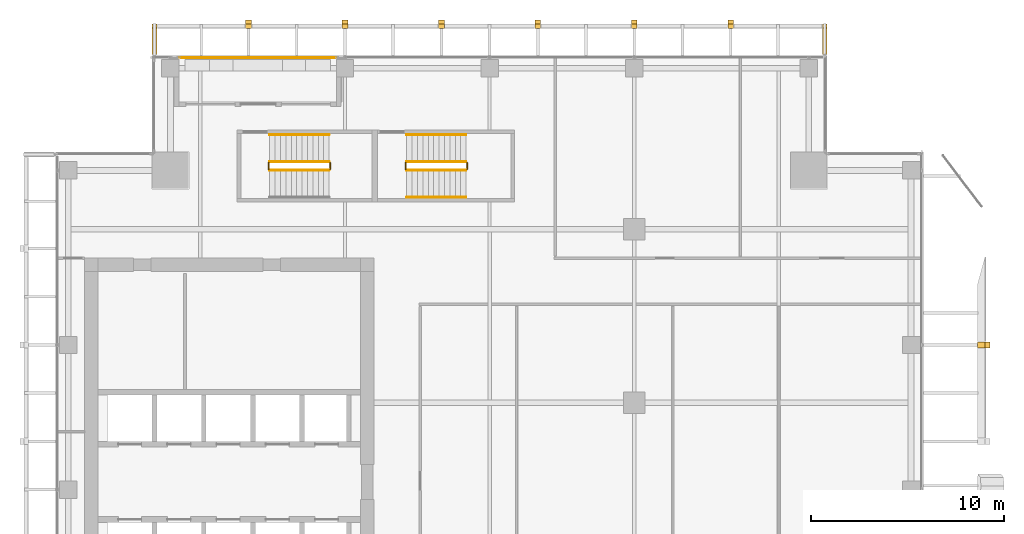
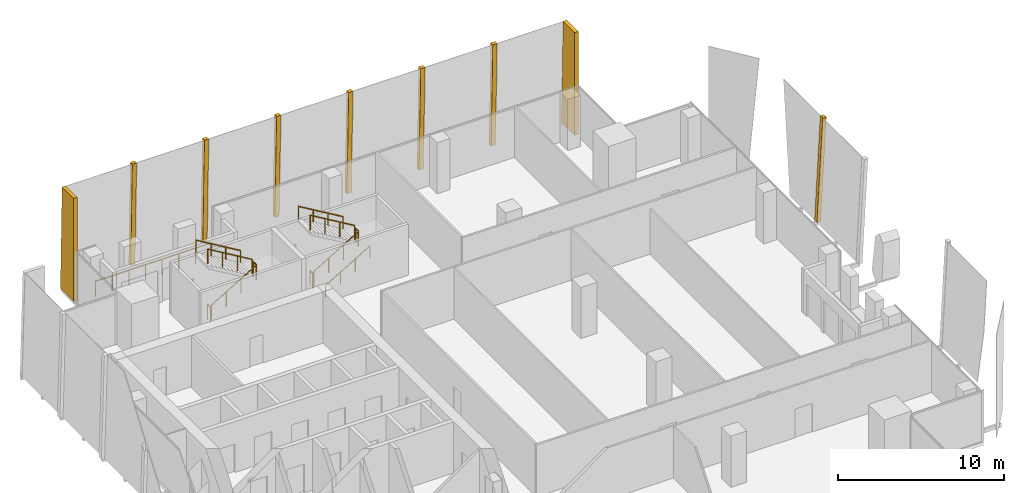
# One storey, part 34 of 35: 12 railings, 9 coverings.
"""IFC4 building model written with IfcOpenShell, lengths in metres."""

from ifc_helpers import new_model, si_unit, direction, frame, origin, origin_2d, place, context, subcontext, project, spatial, polyline, circle, outline, extrude, source, transform, mapped, material, layer, layer_set, type_object, element, save


model = new_model("IFC4")

# Units and contexts
model_context = context("Model", 3, precision=1e-05, world=origin(), true_north=direction((0.0, 1.0)))
body_context = subcontext(model_context, "Body", "Model", "MODEL_VIEW")
ifc_project = project(units=[si_unit("LENGTHUNIT", "METRE"), si_unit("AREAUNIT", "SQUARE_METRE"), si_unit("VOLUMEUNIT", "CUBIC_METRE"), si_unit("PLANEANGLEUNIT", "RADIAN"), si_unit("MASSUNIT", "GRAM", prefix="KILO")], contexts=[model_context])

# Site, building, storey
site_placement = place(None, origin())
site = spatial("IfcSite", under=ifc_project, at=site_placement, CompositionType="ELEMENT")
building_placement = place(site_placement, origin())
building = spatial("IfcBuilding", under=site, at=building_placement, Name="Khomas Fold Tower", CompositionType="ELEMENT")
storey_placement = place(building_placement, frame((0.0, 0.0, 258.199951171875)))
storey = spatial("IfcBuildingStorey", under=building, at=storey_placement, Name="L58", CompositionType="ELEMENT", Elevation=258.199951171875)

# Coverings
ifc_material_1 = material(Name="Natural stone cladding", Category="masonry")
ifc_layer = layer(ifc_material_1, 0.25)
ifc_layer_set = layer_set([ifc_layer], Name="Natural stone cladding")
covering_type = type_object("IfcCoveringType", Name="SK-Karibib marble stone mullion", PredefinedType="CLADDING", material=ifc_layer_set)
covering_1_placement = place(storey_placement, frame((52.682373046875, 34.64990234375, 7.550048828125), z_axis=(-0.998629046243, 0.0, 0.052345276765), x_axis=(-0.052345276765, 0.0, -0.998629046243)))
element("IfcCovering", 1, at=covering_1_placement, inside=storey, type_object=covering_type, Name="OUTER SKIN mullion L58 EM103-6", PredefinedType="CLADDING", context=body_context, shape_type="SweptSolid", body=[
    extrude(outline(polyline([(0.0, 0.0), (7.560413805835891, 0.0), (7.560413805835891, 0.2998046875), (0.0, 0.2998046875), (0.0, 0.0)])), origin(), (0.0, 0.0, -1.0), 0.25),
])
for number, where, z_axis, x_axis, name in (
    (2, (14.35009765625, 51.3466796875, 0.006591796875), (0.0, 0.99965715546, 0.026183421048), (1.0, 0.0, 0.0), "OUTER SKIN mullion L58 N2"),
    (3, (19.35009765625, 51.3466796875, 0.006591796875), (0.0, 0.99965715546, 0.026183421048), (1.0, 0.0, 0.0), "OUTER SKIN mullion L58 N4"),
    (4, (24.35009765625, 51.3466796875, 0.006591796875), (0.0, 0.99965715546, 0.026183421048), (1.0, 0.0, 0.0), "OUTER SKIN mullion L58 N6"),
    (5, (29.35009765625, 51.3466796875, 0.006591796875), (0.0, 0.99965715546, 0.026183421048), (1.0, 0.0, 0.0), "OUTER SKIN mullion L58 N8"),
    (6, (34.35009765625, 51.3466796875, 0.006591796875), (0.0, 0.99965715546, 0.026183421048), (1.0, 0.0, 0.0), "OUTER SKIN mullion L58 N10"),
    (7, (39.35009765625, 51.3466796875, 0.006591796875), (0.0, 0.99965715546, 0.026183421048), (1.0, 0.0, 0.0), "OUTER SKIN mullion L58 N12"),
):
    element("IfcCovering", number, at=place(storey_placement, frame(where, z_axis=z_axis, x_axis=x_axis)), inside=storey, type_object=covering_type, Name=name, PredefinedType="CLADDING", context=body_context, shape_type="SweptSolid", body=[
        extrude(outline(polyline([(0.0, 0.0), (0.2998046875, 0.0), (0.2998046875, -7.552638208898188), (0.0, -7.552638208898188), (0.0, 0.0)])), origin(), (0.0, 0.0, -1.0), 0.25),
    ])
covering_2_placement = place(storey_placement, frame((9.5, 49.550048828125, 7.550048828125), z_axis=(-1.0, 0.0, 0.0), x_axis=(0.0, 1.0, 0.0)))
element("IfcCovering", 8, at=covering_2_placement, inside=storey, type_object=covering_type, Name="OUTER SKIN return L58 N1", PredefinedType="CLADDING", context=body_context, shape_type="SweptSolid", body=[
    extrude(outline(polyline([(0.0, 0.0), (1.388916015625, 0.0), (1.586669921875, 7.550048828125), (0.0, 7.550048828125), (0.0, 0.0)])), origin(), (0.0, 0.0, -1.0), 0.25),
])
covering_3_placement = place(storey_placement, frame((44.5, 49.550048828125, 0.0), z_axis=(1.0, 0.0, 0.0), x_axis=(0.0, 1.0, 0.0)))
element("IfcCovering", 9, at=covering_3_placement, inside=storey, type_object=covering_type, Name="OUTER SKIN return L58 N2", PredefinedType="CLADDING", context=body_context, shape_type="SweptSolid", body=[
    extrude(outline(polyline([(0.0, 0.0), (1.586669921875, 0.0), (1.388916015625, 7.550048828125), (0.0, 7.550048828125), (0.0, 0.0)])), origin(), (0.0, 0.0, -1.0), 0.25),
])

# Railings
ifc_material_2 = material(Name="Powder-coated steel", Category="steel")
railing_type_1 = type_object("IfcRailingType", Name="Balcony guard", PredefinedType="GUARDRAIL", material=ifc_material_2)
shared_shape_1 = source(origin(), body_context, "Body", "SweptSolid", [
    extrude(circle(Radius=0.02490234375, at=origin_2d()), frame((0.0, 0.0, 1.125), z_axis=(1.0, 0.0, 0.0), x_axis=(0.0, 1.0, 0.0)), (0.0, 0.0, 1.0), 8.090087890625),
    extrude(circle(Radius=0.02001953125, at=origin_2d()), origin(), (0.0, 0.0, 1.0), 1.099853515625),
    extrude(circle(Radius=0.02001953125, at=origin_2d()), frame((1.15576171875, 0.0, 0.0)), (0.0, 0.0, 1.0), 1.099853515625),
    extrude(circle(Radius=0.02001953125, at=origin_2d()), frame((2.3115234375, 0.0, 0.0)), (0.0, 0.0, 1.0), 1.099853515625),
    extrude(circle(Radius=0.02001953125, at=origin_2d()), frame((3.46728515625, 0.0, 0.0)), (0.0, 0.0, 1.0), 1.099853515625),
    extrude(circle(Radius=0.02001953125, at=origin_2d()), frame((4.622802734375, 0.0, 0.0)), (0.0, 0.0, 1.0), 1.099853515625),
    extrude(circle(Radius=0.02001953125, at=origin_2d()), frame((5.778564453125, 0.0, 0.0)), (0.0, 0.0, 1.0), 1.099853515625),
    extrude(circle(Radius=0.02001953125, at=origin_2d()), frame((6.934326171875, 0.0, 0.0)), (0.0, 0.0, 1.0), 1.099853515625),
    extrude(circle(Radius=0.02001953125, at=origin_2d()), frame((8.090087890625, 0.0, 0.0)), (0.0, 0.0, 1.0), 1.099853515625),
])
railing_1_placement = place(storey_placement, frame((10.929931640625, 49.39990234375, -0.044921875)))
element("IfcRailing", 10, at=railing_1_placement, inside=storey, type_object=railing_type_1, Name="Balcony guard BAL-L58-N1", PredefinedType="GUARDRAIL", context=body_context, shape_type="MappedRepresentation", body=[
    mapped(shared_shape_1, transform((0.0, 0.0, 0.0))),
])
ifc_material_3 = material(Name="Steel balustrade", Category="steel")
railing_type_2 = type_object("IfcRailingType", Name="Stair guard", PredefinedType="GUARDRAIL", material=ifc_material_3)
shared_shape_2 = source(origin(), body_context, "Body", "SweptSolid", [
    extrude(circle(Radius=0.02392578125, at=origin_2d()), frame((0.0, 0.0, 1.076171875), z_axis=(0.0, 1.0, 0.0), x_axis=(-1.0, 0.0, 0.0)), (0.0, 0.0, 1.0), 0.349853515625),
    extrude(circle(Radius=0.02099609375, at=origin_2d()), origin(), (0.0, 0.0, 1.0), 1.052001953125),
    extrude(circle(Radius=0.02099609375, at=origin_2d()), frame((0.0, 0.349853515625, 0.0)), (0.0, 0.0, 1.0), 1.052001953125),
])
for number, where, name in (
    (11, (18.72998046875, 43.60009765625, 2.0), "L58 ST1 stair guard 2"),
    (12, (15.550048828125, 43.60009765625, 0.0), "L58 ST1 stair guard 4"),
    (13, (25.830078125, 43.60009765625, 2.0), "L58 ST3 stair guard 2"),
    (14, (22.64990234375, 43.60009765625, 0.0), "L58 ST3 stair guard 4"),
):
    element("IfcRailing", number, at=place(storey_placement, frame(where)), inside=storey, type_object=railing_type_2, Name=name, PredefinedType="GUARDRAIL", context=body_context, shape_type="MappedRepresentation", body=[
        mapped(shared_shape_2, transform((0.0, 0.0, 0.0))),
    ])
shared_shape_3 = source(origin(), body_context, "Body", "SweptSolid", [
    extrude(circle(Radius=0.02392578125, at=origin_2d()), frame((0.0, 0.0, 1.076171875), z_axis=(0.859290745958, 0.0, 0.51148745235), x_axis=(0.0, 1.0, 0.0)), (0.0, 0.0, 1.0), 3.584228515625),
    extrude(circle(Radius=0.02099609375, at=origin_2d()), origin(), (0.0, 0.0, 1.0), 1.052001953125),
    extrude(circle(Radius=0.02099609375, at=origin_2d()), frame((1.026611328125, 0.0, 0.611083984375)), (0.0, 0.0, 1.0), 1.052001953125),
    extrude(circle(Radius=0.02099609375, at=origin_2d()), frame((2.05322265625, 0.0, 1.22216796875)), (0.0, 0.0, 1.0), 1.052001953125),
    extrude(circle(Radius=0.02099609375, at=origin_2d()), frame((3.079833984375, 0.0, 1.833251953125)), (0.0, 0.0, 1.0), 1.052001953125),
])
railing_2_placement = place(storey_placement, frame((15.60009765625, 43.550048828125, 0.166748046875)))
element("IfcRailing", 15, at=railing_2_placement, inside=storey, type_object=railing_type_2, Name="L58 ST1 stair guard 1", PredefinedType="GUARDRAIL", context=body_context, shape_type="MappedRepresentation", body=[
    mapped(shared_shape_3, transform((0.0, 0.0, 0.0))),
])
shared_shape_4 = source(origin(), body_context, "Body", "SweptSolid", [
    extrude(circle(Radius=0.02392578125, at=origin_2d()), frame((0.0, 0.0, 1.076171875), z_axis=(-0.859290745958, 0.0, 0.51148745235), x_axis=(0.0, -1.0, 0.0)), (0.0, 0.0, 1.0), 3.584228515625),
    extrude(circle(Radius=0.02099609375, at=origin_2d()), origin(), (0.0, 0.0, 1.0), 1.052001953125),
    extrude(circle(Radius=0.02099609375, at=origin_2d()), frame((-1.026611328125, 0.0, 0.611083984375)), (0.0, 0.0, 1.0), 1.052001953125),
    extrude(circle(Radius=0.02099609375, at=origin_2d()), frame((-2.05322265625, 0.0, 1.22216796875)), (0.0, 0.0, 1.0), 1.052001953125),
    extrude(circle(Radius=0.02099609375, at=origin_2d()), frame((-3.079833984375, 0.0, 1.833251953125)), (0.0, 0.0, 1.0), 1.052001953125),
])
railing_3_placement = place(storey_placement, frame((18.679931640625, 44.0, 2.166748046875)))
element("IfcRailing", 16, at=railing_3_placement, inside=storey, type_object=railing_type_2, Name="L58 ST1 stair guard 3", PredefinedType="GUARDRAIL", context=body_context, shape_type="MappedRepresentation", body=[
    mapped(shared_shape_4, transform((0.0, 0.0, 0.0))),
])
ifc_material_4 = material(Name="Steel handrail", Category="steel")
railing_type_3 = type_object("IfcRailingType", Name="Stair handrail", PredefinedType="HANDRAIL", material=ifc_material_4)
shared_shape_5 = source(origin(), body_context, "Body", "SweptSolid", [
    extrude(circle(Radius=0.02392578125, at=origin_2d()), frame((0.0, 0.0, 0.8759765625), z_axis=(-0.859290745958, 0.0, 0.51148745235), x_axis=(0.0, -1.0, 0.0)), (0.0, 0.0, 1.0), 3.584228515625),
    extrude(circle(Radius=0.02099609375, at=origin_2d()), origin(), (0.0, 0.0, 1.0), 0.851806640625),
    extrude(circle(Radius=0.02099609375, at=origin_2d()), frame((-1.026611328125, 0.0, 0.611083984375)), (0.0, 0.0, 1.0), 0.851806640625),
    extrude(circle(Radius=0.02099609375, at=origin_2d()), frame((-2.05322265625, 0.0, 1.22216796875)), (0.0, 0.0, 1.0), 0.851806640625),
    extrude(circle(Radius=0.02099609375, at=origin_2d()), frame((-3.079833984375, 0.0, 1.833251953125)), (0.0, 0.0, 1.0), 0.851806640625),
])
railing_4_placement = place(storey_placement, frame((18.679931640625, 45.39990234375, 2.166748046875)))
element("IfcRailing", 17, at=railing_4_placement, inside=storey, type_object=railing_type_3, Name="L58 ST1 stair handrail 2", PredefinedType="HANDRAIL", context=body_context, shape_type="MappedRepresentation", body=[
    mapped(shared_shape_5, transform((0.0, 0.0, 0.0))),
])
shared_shape_6 = source(origin(), body_context, "Body", "SweptSolid", [
    extrude(circle(Radius=0.02392578125, at=origin_2d()), frame((0.0, 0.0, 1.076171875), z_axis=(0.859308565015, 0.0, 0.511457515432), x_axis=(0.0, 1.0, 0.0)), (0.0, 0.0, 1.0), 3.58447265625),
    extrude(circle(Radius=0.02099609375, at=origin_2d()), origin(), (0.0, 0.0, 1.0), 1.052001953125),
    extrude(circle(Radius=0.02099609375, at=origin_2d()), frame((1.026611328125, 0.0, 0.611083984375)), (0.0, 0.0, 1.0), 1.052001953125),
    extrude(circle(Radius=0.02099609375, at=origin_2d()), frame((2.053466796875, 0.0, 1.22216796875)), (0.0, 0.0, 1.0), 1.052001953125),
    extrude(circle(Radius=0.02099609375, at=origin_2d()), frame((3.080078125, 0.0, 1.833251953125)), (0.0, 0.0, 1.0), 1.052001953125),
])
railing_5_placement = place(storey_placement, frame((22.699951171875, 43.550048828125, 0.166748046875)))
element("IfcRailing", 18, at=railing_5_placement, inside=storey, type_object=railing_type_2, Name="L58 ST3 stair guard 1", PredefinedType="GUARDRAIL", context=body_context, shape_type="MappedRepresentation", body=[
    mapped(shared_shape_6, transform((0.0, 0.0, 0.0))),
])
shared_shape_7 = source(origin(), body_context, "Body", "SweptSolid", [
    extrude(circle(Radius=0.02392578125, at=origin_2d()), frame((0.0, 0.0, 1.076171875), z_axis=(-0.859308565015, 0.0, 0.511457515432), x_axis=(0.0, -1.0, 0.0)), (0.0, 0.0, 1.0), 3.58447265625),
    extrude(circle(Radius=0.02099609375, at=origin_2d()), origin(), (0.0, 0.0, 1.0), 1.052001953125),
    extrude(circle(Radius=0.02099609375, at=origin_2d()), frame((-1.026611328125, 0.0, 0.611083984375)), (0.0, 0.0, 1.0), 1.052001953125),
    extrude(circle(Radius=0.02099609375, at=origin_2d()), frame((-2.053466796875, 0.0, 1.22216796875)), (0.0, 0.0, 1.0), 1.052001953125),
    extrude(circle(Radius=0.02099609375, at=origin_2d()), frame((-3.080078125, 0.0, 1.833251953125)), (0.0, 0.0, 1.0), 1.052001953125),
])
railing_6_placement = place(storey_placement, frame((25.780029296875, 44.0, 2.166748046875)))
element("IfcRailing", 19, at=railing_6_placement, inside=storey, type_object=railing_type_2, Name="L58 ST3 stair guard 3", PredefinedType="GUARDRAIL", context=body_context, shape_type="MappedRepresentation", body=[
    mapped(shared_shape_7, transform((0.0, 0.0, 0.0))),
])
shared_shape_8 = source(origin(), body_context, "Body", "SweptSolid", [
    extrude(circle(Radius=0.02392578125, at=origin_2d()), frame((0.0, 0.0, 0.8759765625), z_axis=(0.859308565015, 0.0, 0.511457515432), x_axis=(0.0, 1.0, 0.0)), (0.0, 0.0, 1.0), 3.58447265625),
    extrude(circle(Radius=0.02099609375, at=origin_2d()), origin(), (0.0, 0.0, 1.0), 0.851806640625),
    extrude(circle(Radius=0.02099609375, at=origin_2d()), frame((1.026611328125, 0.0, 0.611083984375)), (0.0, 0.0, 1.0), 0.851806640625),
    extrude(circle(Radius=0.02099609375, at=origin_2d()), frame((2.053466796875, 0.0, 1.22216796875)), (0.0, 0.0, 1.0), 0.851806640625),
    extrude(circle(Radius=0.02099609375, at=origin_2d()), frame((3.080078125, 0.0, 1.833251953125)), (0.0, 0.0, 1.0), 0.851806640625),
])
railing_7_placement = place(storey_placement, frame((22.699951171875, 42.14990234375, 0.166748046875)))
element("IfcRailing", 20, at=railing_7_placement, inside=storey, type_object=railing_type_3, Name="L58 ST3 stair handrail 1", PredefinedType="HANDRAIL", context=body_context, shape_type="MappedRepresentation", body=[
    mapped(shared_shape_8, transform((0.0, 0.0, 0.0))),
])
shared_shape_9 = source(origin(), body_context, "Body", "SweptSolid", [
    extrude(circle(Radius=0.02392578125, at=origin_2d()), frame((0.0, 0.0, 0.8759765625), z_axis=(-0.859308565015, 0.0, 0.511457515432), x_axis=(0.0, -1.0, 0.0)), (0.0, 0.0, 1.0), 3.58447265625),
    extrude(circle(Radius=0.02099609375, at=origin_2d()), origin(), (0.0, 0.0, 1.0), 0.851806640625),
    extrude(circle(Radius=0.02099609375, at=origin_2d()), frame((-1.026611328125, 0.0, 0.611083984375)), (0.0, 0.0, 1.0), 0.851806640625),
    extrude(circle(Radius=0.02099609375, at=origin_2d()), frame((-2.053466796875, 0.0, 1.22216796875)), (0.0, 0.0, 1.0), 0.851806640625),
    extrude(circle(Radius=0.02099609375, at=origin_2d()), frame((-3.080078125, 0.0, 1.833251953125)), (0.0, 0.0, 1.0), 0.851806640625),
])
railing_8_placement = place(storey_placement, frame((25.780029296875, 45.39990234375, 2.166748046875)))
element("IfcRailing", 21, at=railing_8_placement, inside=storey, type_object=railing_type_3, Name="L58 ST3 stair handrail 2", PredefinedType="HANDRAIL", context=body_context, shape_type="MappedRepresentation", body=[
    mapped(shared_shape_9, transform((0.0, 0.0, 0.0))),
])

save(model, "model.ifc")
